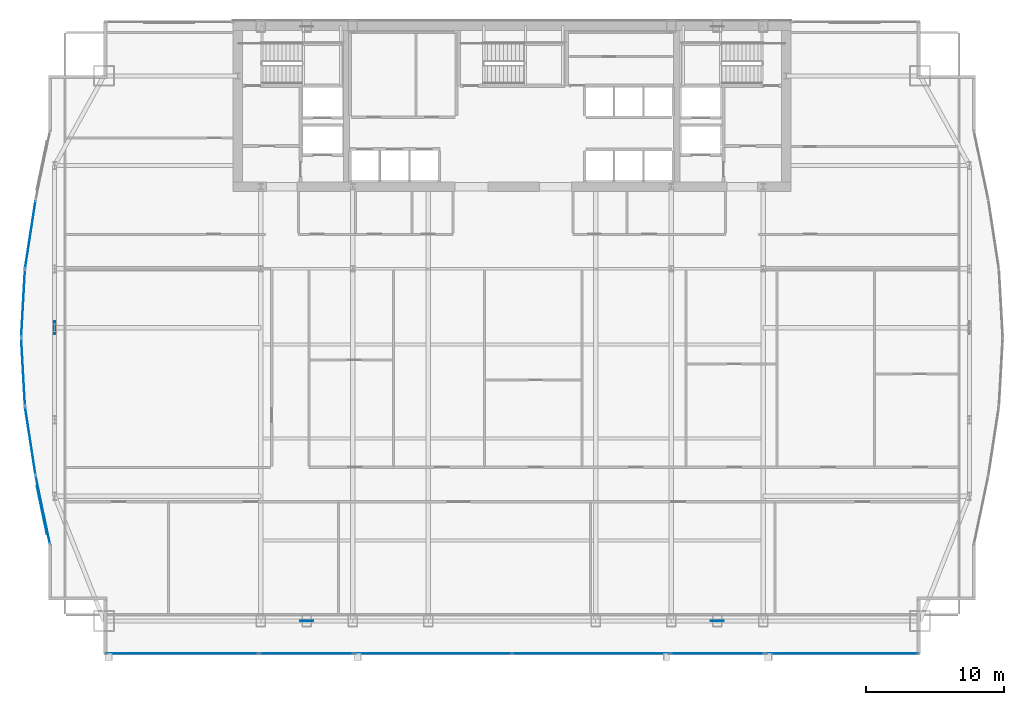
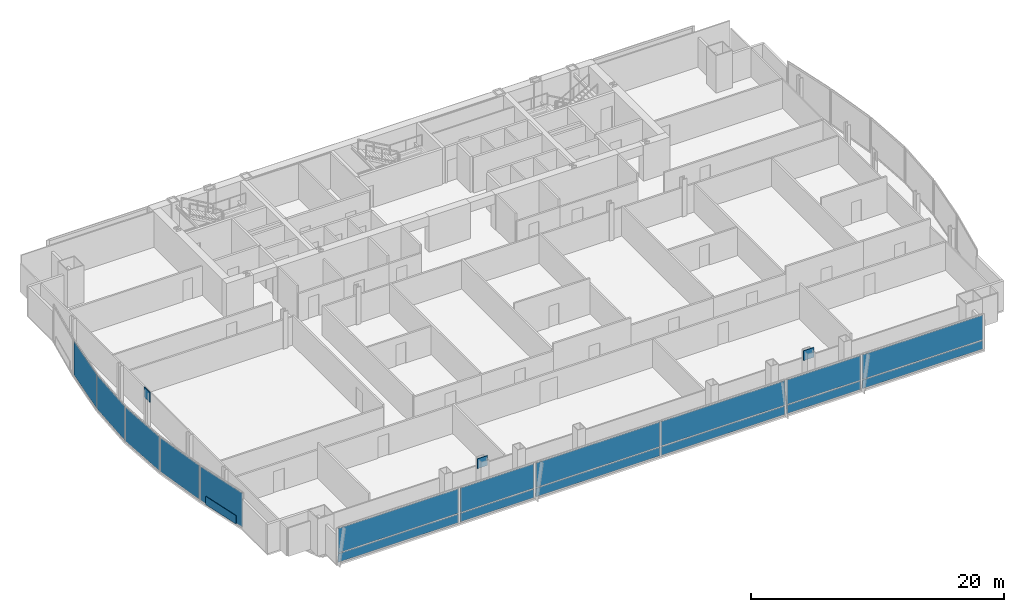
# One storey, part 25 of 33: 21 plates, 10 elements without a shape of their own.
"""IFC4 building model written with IfcOpenShell, lengths in metres."""

import ifcopenshell
import ifcopenshell.guid

model = None  # the IFC model being written
_history = None  # IfcOwnerHistory: only IFC2X3 demands one
_inside = {}  # id of a spatial element -> (the spatial element, [elements in it])
_under = {}  # id of a project, library or spatial element -> (it, [spatial elements below it])
_declared = {}  # id of a project -> (the project, [libraries it declares])
_typed = {}  # id of a type object -> (the type object, [elements of that type])
_made_of = {}  # id of a material, layer set ... -> (it, [elements and type objects made of it])


def new_model(schema):
    """Start an empty IFC model of exactly this schema.

    Asked for "IFC4X3", IfcOpenShell would pick the latest addendum, in which some entities
    have other attributes; the version numbers below select the first issue.
    IFC2X3 requires an IfcOwnerHistory on every rooted entity: one is made here for all.
    """
    global model, _history
    if schema == "IFC4X3":
        model = ifcopenshell.file(schema_version=(4, 3, 0, 0))
    else:
        model = ifcopenshell.file(schema=schema)
    _inside.clear()
    _under.clear()
    _declared.clear()
    _typed.clear()
    _made_of.clear()
    _history = None
    if model.schema == "IFC2X3":
        org = make("IfcOrganization", Name="unknown")
        user = make(
            "IfcPersonAndOrganization",
            ThePerson=make("IfcPerson", FamilyName="unknown"),
            TheOrganization=org,
        )
        app = make(
            "IfcApplication",
            ApplicationDeveloper=org,
            Version="unknown",
            ApplicationFullName="unknown",
            ApplicationIdentifier="unknown",
        )
        _history = make(
            "IfcOwnerHistory",
            OwningUser=user,
            OwningApplication=app,
            ChangeAction="ADDED",
            CreationDate=0,
        )
    return model


def make(cls, **values):
    """One entity of the class cls with the attributes given. An attribute that is None is left unset."""
    return model.create_entity(
        cls, **{name: value for name, value in values.items() if value is not None}
    )


def rooted(cls, **values):
    """An entity with a GlobalId (a new one), such as an element, a storey or a relation."""
    return make(cls, GlobalId=ifcopenshell.guid.new(), OwnerHistory=_history, **values)


def si_unit(unit_type, name, prefix=None):
    """IfcSIUnit, for example si_unit("LENGTHUNIT", "METRE", prefix="MILLI")."""
    return make("IfcSIUnit", UnitType=unit_type, Prefix=prefix, Name=name)


def assignment(units):
    """IfcUnitAssignment: the units of a project."""
    return None if units is None else make("IfcUnitAssignment", Units=units)


def point(xyz):
    """IfcCartesianPoint."""
    return None if xyz is None else make("IfcCartesianPoint", Coordinates=xyz)


def direction(xyz):
    """IfcDirection."""
    return None if xyz is None else make("IfcDirection", DirectionRatios=xyz)


def frame(location, z_axis=None, x_axis=None):
    """IfcAxis2Placement3D, a coordinate frame: its origin and axes. An axis left out is left unset."""
    return make(
        "IfcAxis2Placement3D",
        Location=point(location),
        Axis=direction(z_axis),
        RefDirection=direction(x_axis),
    )


def frame_2d(location, x_axis=None):
    """IfcAxis2Placement2D, a coordinate frame in the plane: its origin and x axis."""
    return make(
        "IfcAxis2Placement2D", Location=point(location), RefDirection=direction(x_axis)
    )


def origin():
    """The frame at (0, 0, 0) with its axes left unset."""
    return frame((0.0, 0.0, 0.0))


def origin_2d():
    """The frame at (0, 0) in the plane with its x axis left unset."""
    return frame_2d((0.0, 0.0))


def place(relative_to, where):
    """IfcLocalPlacement: puts the frame where relative to a parent placement (None: the world)."""
    return make(
        "IfcLocalPlacement", PlacementRelTo=relative_to, RelativePlacement=where
    )


def context(
    kind, dimensions, precision=None, world=None, true_north=None, identifier=None
):
    """IfcGeometricRepresentationContext, for example the 3D "Model" context."""
    return make(
        "IfcGeometricRepresentationContext",
        ContextIdentifier=identifier,
        ContextType=kind,
        CoordinateSpaceDimension=dimensions,
        Precision=precision,
        WorldCoordinateSystem=world,
        TrueNorth=true_north,
    )


def subcontext(parent, identifier, kind, view, scale=None):
    """IfcGeometricRepresentationSubContext, for example "Body" below "Model"."""
    return make(
        "IfcGeometricRepresentationSubContext",
        ContextIdentifier=identifier,
        ContextType=kind,
        ParentContext=parent,
        TargetScale=scale,
        TargetView=view,
    )


def project(units=None, contexts=None):
    """IfcProject with its units and contexts."""
    return rooted(
        "IfcProject",
        Name="project",
        RepresentationContexts=contexts,
        UnitsInContext=assignment(units),
    )


def spatial(cls, under=None, at=None, **own):
    """A site, building, storey or space (cls), placed at a placement, below another one or the project."""
    s = rooted(cls, ObjectPlacement=at, **own)
    if under is not None:
        _under.setdefault(under.id(), (under, []))[1].append(s)
    return s


def profile(cls, at=None, kind="AREA", **sizes):
    """A parametric profile (cls). Its sizes go by their IFC names, for example OverallWidth=200.0."""
    return make(cls, ProfileType=kind, Position=at, **sizes)


def rectangle(**sizes):
    """IfcRectangleProfileDef."""
    return profile("IfcRectangleProfileDef", **sizes)


def extrude(swept, where, along, depth):
    """IfcExtrudedAreaSolid: the profile swept, set in the frame where, extruded along a direction by depth."""
    return make(
        "IfcExtrudedAreaSolid",
        SweptArea=swept,
        Position=where,
        ExtrudedDirection=direction(along),
        Depth=depth,
    )


def shape(context_of_items, identifier, shape_type, items):
    """IfcShapeRepresentation: the items that make up one representation, for example the "Body"."""
    return make(
        "IfcShapeRepresentation",
        ContextOfItems=context_of_items,
        RepresentationIdentifier=identifier,
        RepresentationType=shape_type,
        Items=items,
    )


def material(Name=None, Category=None):
    """IfcMaterial."""
    return make("IfcMaterial", Name=Name, Category=Category)


def layer(
    of_material, thickness, ventilated=None, Name=None, Category=None, Priority=None
):
    """IfcMaterialLayer: one layer of a wall or slab, of a material (None: an air gap)."""
    return make(
        "IfcMaterialLayer",
        Material=of_material,
        LayerThickness=thickness,
        IsVentilated=ventilated,
        Name=Name,
        Category=Category,
        Priority=Priority,
    )


def layer_set(layers, Name=None):
    """IfcMaterialLayerSet."""
    return make("IfcMaterialLayerSet", MaterialLayers=layers, LayerSetName=Name)


def made_of(thing, what):
    """Note that an element or type object is made of a material, layer set ...; save() writes the relation."""
    if what is not None:
        _made_of.setdefault(what.id(), (what, []))[1].append(thing)
    return thing


def type_object(cls, material=None, **own):
    """A type object (cls), such as IfcWallType, which elements share."""
    return made_of(rooted(cls, **own), material)


def element(
    cls,
    number,
    at=None,
    inside=None,
    cuts=None,
    type_object=None,
    material=None,
    context=None,
    identifier="Body",
    shape_type=None,
    held_by="IfcProductDefinitionShape",
    body=None,
    shapes=None,
    **own,
):
    """One element of the class cls, such as IfcWall. Its Tag is "e" and its number.

    at: its placement. inside: the storey or other place that contains it. cuts: it is an
    opening in that element (IfcRelVoidsElement). A single representation is given by context,
    identifier, shape_type and body (its items); several are given by shapes. held_by: the class
    of the entity that holds the representations. save() writes the other relations.
    """
    e = rooted(cls, Tag="e%d" % number, ObjectPlacement=at, **own)
    if body is not None:
        shapes = [shape(context, identifier, shape_type, body)]
    if shapes is not None:
        e.Representation = make(held_by, Representations=shapes)
    if inside is not None:
        _inside.setdefault(inside.id(), (inside, []))[1].append(e)
    if cuts is not None:
        rooted(
            "IfcRelVoidsElement", RelatingBuildingElement=cuts, RelatedOpeningElement=e
        )
    if type_object is not None:
        _typed.setdefault(type_object.id(), (type_object, []))[1].append(e)
    return made_of(e, material)


def aggregate(whole, parts):
    """IfcRelAggregates: a whole, such as a stair, and the parts it consists of."""
    return rooted("IfcRelAggregates", RelatingObject=whole, RelatedObjects=parts)


def save(model, path):
    """Write the relations noted so far, then the file.

    IfcRelAggregates (storeys below a building ...), IfcRelContainedInSpatialStructure (elements
    in a storey), IfcRelDefinesByType, IfcRelAssociatesMaterial and IfcRelDeclares: one each for
    every whole, place, type object, material and project.
    """
    for whole, parts in _under.values():
        aggregate(whole, parts)
    for where, things in _inside.values():
        rooted(
            "IfcRelContainedInSpatialStructure",
            RelatedElements=things,
            RelatingStructure=where,
        )
    for kind, things in _typed.values():
        rooted("IfcRelDefinesByType", RelatedObjects=things, RelatingType=kind)
    for what, things in _made_of.values():
        rooted("IfcRelAssociatesMaterial", RelatedObjects=things, RelatingMaterial=what)
    for by, libraries in _declared.values():
        rooted("IfcRelDeclares", RelatingContext=by, RelatedDefinitions=libraries)
    model.write(path)


model = new_model("IFC4")

# Units and contexts
model_context = context("Model", 3, precision=1e-05, world=origin(), true_north=direction((0.0, 1.0)))
body_context = subcontext(model_context, "Body", "Model", "MODEL_VIEW")
ifc_project = project(units=[si_unit("LENGTHUNIT", "METRE"), si_unit("AREAUNIT", "SQUARE_METRE"), si_unit("VOLUMEUNIT", "CUBIC_METRE"), si_unit("PLANEANGLEUNIT", "RADIAN"), si_unit("MASSUNIT", "GRAM", prefix="KILO")], contexts=[model_context])

# Site, building, storey
site_placement = place(None, origin())
site = spatial("IfcSite", under=ifc_project, at=site_placement, CompositionType="ELEMENT")
building_placement = place(site_placement, origin())
building = spatial("IfcBuilding", under=site, at=building_placement, Name="Khoronbel Lancet Exchange", CompositionType="ELEMENT")
storey_placement = place(building_placement, frame((0.0, 0.0, 114.60009765625)))
storey = spatial("IfcBuildingStorey", under=building, at=storey_placement, Name="L27", CompositionType="ELEMENT", Elevation=114.60009765625)

# Curtain wall, plate
ifc_material_1 = material(Name="Low-E Solar Control Insulating Glass", Category="glass")
curtain_wall_type_1 = type_object("IfcCurtainWallType", Name="CW-4", PredefinedType="NOTDEFINED", material=ifc_material_1)
curtain_wall_1_placement = place(storey_placement, origin())
curtain_wall_1 = element("IfcCurtainWall", 1, at=curtain_wall_1_placement, inside=storey, type_object=curtain_wall_type_1, Name="Unitised curtain wall CW-L27-E04", PredefinedType="NOTDEFINED")
ifc_material_2 = material(Name="Bronze-Anodised Aluminium 6063-T6", Category="aluminium")
ifc_layer_1 = layer(ifc_material_2, 0.050048828125, Name="Bronze-Anodised Aluminium 6063-T6")
ifc_layer_set_1 = layer_set([ifc_layer_1], Name="Bronze-Anodised Aluminium 6063-T6")
plate_type_1 = type_object("IfcPlateType", Name="PLT-CSP1", PredefinedType="SHEET", material=ifc_layer_set_1)
plate_1_placement = place(storey_placement, frame((2.357177734375, 18.200439453125, 0.0498046875), z_axis=(0.0, 0.0, 1.0), x_axis=(-0.204912806344, 0.978780231613, 0.0)))
plate_1 = element("IfcPlate", 2, at=plate_1_placement, type_object=plate_type_1, Name="Insulated bronze spandrel cassette CW-L27-E04", PredefinedType="SHEET", context=body_context, shape_type="SweptSolid", body=[
    extrude(rectangle(XDim=3.580810546875, YDim=0.050048828125, at=origin_2d()), origin(), (0.0, 0.0, 1.0), 0.800048828125),
])

curtain_wall_2_placement = place(storey_placement, origin())
curtain_wall_2 = element("IfcCurtainWall", 3, at=curtain_wall_2_placement, inside=storey, type_object=curtain_wall_type_1, Name="Unitised curtain wall CW-L27-E05", PredefinedType="NOTDEFINED")
plate_2_placement = place(storey_placement, frame((1.509033203125, 23.212646484375, 0.0849609375), z_axis=(0.0, 0.0, 1.0), x_axis=(-0.151515699646, 0.988454851149, 0.0)))
plate_2 = element("IfcPlate", 4, at=plate_2_placement, type_object=plate_type_1, Name="CW4 panel 1.1", PredefinedType="CURTAIN_PANEL", context=body_context, shape_type="SweptSolid", body=[
    extrude(rectangle(XDim=4.901611328125, YDim=0.0380859375, at=origin_2d()), origin(), (0.0, 0.0, 1.0), 3.27001953125),
])
aggregate(curtain_wall_2, [plate_2])

curtain_wall_3_placement = place(storey_placement, origin())
curtain_wall_3 = element("IfcCurtainWall", 5, at=curtain_wall_3_placement, inside=storey, type_object=curtain_wall_type_1, Name="Unitised curtain wall CW-L27-E06", PredefinedType="NOTDEFINED")
plate_3_placement = place(storey_placement, frame((0.986328125, 28.20458984375, 0.0849609375), z_axis=(0.0, 0.0, 1.0), x_axis=(-0.056017381128, 0.998429793732, 0.0)))
plate_3 = element("IfcPlate", 6, at=plate_3_placement, type_object=plate_type_1, Name="CW4 panel 1.1", PredefinedType="CURTAIN_PANEL", context=body_context, shape_type="SweptSolid", body=[
    extrude(rectangle(XDim=4.848388671875, YDim=0.0380859375, at=origin_2d()), origin(), (0.0, 0.0, 1.0), 3.27001953125),
])
aggregate(curtain_wall_3, [plate_3])

curtain_wall_4_placement = place(storey_placement, origin())
curtain_wall_4 = element("IfcCurtainWall", 7, at=curtain_wall_4_placement, inside=storey, type_object=curtain_wall_type_1, Name="Unitised curtain wall CW-L27-E07", PredefinedType="NOTDEFINED")
plate_4_placement = place(storey_placement, frame((0.986328125, 33.1953125, 0.0849609375), z_axis=(0.0, 0.0, 1.0), x_axis=(0.056017381128, 0.998429793732, 0.0)))
plate_4 = element("IfcPlate", 8, at=plate_4_placement, type_object=plate_type_1, Name="CW4 panel 1.1", PredefinedType="CURTAIN_PANEL", context=body_context, shape_type="SweptSolid", body=[
    extrude(rectangle(XDim=4.848388671875, YDim=0.0380859375, at=origin_2d()), origin(), (0.0, 0.0, 1.0), 3.27001953125),
])
aggregate(curtain_wall_4, [plate_4])

curtain_wall_5_placement = place(storey_placement, origin())
curtain_wall_5 = element("IfcCurtainWall", 9, at=curtain_wall_5_placement, inside=storey, type_object=curtain_wall_type_1, Name="Unitised curtain wall CW-L27-E08", PredefinedType="NOTDEFINED")
plate_5_placement = place(storey_placement, frame((1.509033203125, 38.187255859375, 0.0849609375), z_axis=(0.0, 0.0, 1.0), x_axis=(0.151515699646, 0.988454851149, 0.0)))
plate_5 = element("IfcPlate", 10, at=plate_5_placement, type_object=plate_type_1, Name="CW4 panel 1.1", PredefinedType="CURTAIN_PANEL", context=body_context, shape_type="SweptSolid", body=[
    extrude(rectangle(XDim=4.901611328125, YDim=0.0380859375, at=origin_2d()), origin(), (0.0, 0.0, 1.0), 3.27001953125),
])
aggregate(curtain_wall_5, [plate_5])

# Curtain wall, plates
curtain_wall_type_2 = type_object("IfcCurtainWallType", Name="CW-2", PredefinedType="NOTDEFINED", material=ifc_material_1)
curtain_wall_6_placement = place(storey_placement, origin())
curtain_wall_6 = element("IfcCurtainWall", 11, at=curtain_wall_6_placement, inside=storey, type_object=curtain_wall_type_2, Name="Unitised curtain wall CW-L27-SWB", PredefinedType="NOTDEFINED")
plate_6_placement = place(storey_placement, frame((21.550048828125, 7.7900390625, 0.0849609375), z_axis=(0.0, 0.0, 1.0), x_axis=(1.0, 0.0, 0.0)))
plate_6 = element("IfcPlate", 12, at=plate_6_placement, type_object=plate_type_1, Name="CW2 panel 1.1", PredefinedType="CURTAIN_PANEL", context=body_context, shape_type="SweptSolid", body=[
    extrude(rectangle(XDim=6.72998046875, YDim=0.0380859375, at=origin_2d()), origin(), (0.0, 0.0, 1.0), 0.822509765625),
])
plate_7_placement = place(storey_placement, frame((21.550048828125, 7.7900390625, 0.9921875), z_axis=(0.0, 0.0, 1.0), x_axis=(1.0, 0.0, 0.0)))
plate_7 = element("IfcPlate", 13, at=plate_7_placement, type_object=plate_type_1, Name="CW2 panel 1.2", PredefinedType="CURTAIN_PANEL", context=body_context, shape_type="SweptSolid", body=[
    extrude(rectangle(XDim=6.72998046875, YDim=0.0380859375, at=origin_2d()), origin(), (0.0, 0.0, 1.0), 2.362548828125),
])
aggregate(curtain_wall_6, [plate_6, plate_7])

curtain_wall_7_placement = place(storey_placement, origin())
curtain_wall_7 = element("IfcCurtainWall", 14, at=curtain_wall_7_placement, inside=storey, type_object=curtain_wall_type_2, Name="Unitised curtain wall CW-L27-SEB", PredefinedType="NOTDEFINED")
plate_8_placement = place(storey_placement, frame((51.35009765625, 7.7900390625, 0.0849609375), z_axis=(0.0, 0.0, 1.0), x_axis=(1.0, 0.0, 0.0)))
plate_8 = element("IfcPlate", 15, at=plate_8_placement, type_object=plate_type_1, Name="CW2 panel 1.1", PredefinedType="CURTAIN_PANEL", context=body_context, shape_type="SweptSolid", body=[
    extrude(rectangle(XDim=6.72998046875, YDim=0.0380859375, at=origin_2d()), origin(), (0.0, 0.0, 1.0), 0.822509765625),
])
plate_9_placement = place(storey_placement, frame((51.35009765625, 7.7900390625, 0.9921875), z_axis=(0.0, 0.0, 1.0), x_axis=(1.0, 0.0, 0.0)))
plate_9 = element("IfcPlate", 16, at=plate_9_placement, type_object=plate_type_1, Name="CW2 panel 1.2", PredefinedType="CURTAIN_PANEL", context=body_context, shape_type="SweptSolid", body=[
    extrude(rectangle(XDim=6.72998046875, YDim=0.0380859375, at=origin_2d()), origin(), (0.0, 0.0, 1.0), 2.362548828125),
])
aggregate(curtain_wall_7, [plate_8, plate_9])

curtain_wall_8_placement = place(storey_placement, origin())
curtain_wall_8 = element("IfcCurtainWall", 17, at=curtain_wall_8_placement, inside=storey, type_object=curtain_wall_type_2, Name="Unitised curtain wall CW-L27-SWV", PredefinedType="NOTDEFINED")
ifc_layer_2 = layer(ifc_material_1, 0.035888671875, Name="Low-E Solar Control Insulating Glass")
ifc_layer_set_2 = layer_set([ifc_layer_2], Name="Low-E Solar Control Insulating Glass")
plate_type_2 = type_object("IfcPlateType", Name="PLT-CWP1", PredefinedType="CURTAIN_PANEL", material=ifc_layer_set_2)
plate_10_placement = place(storey_placement, frame((12.52001953125, 7.7900390625, 0.0849609375), z_axis=(0.0, 0.0, 1.0), x_axis=(1.0, 0.0, 0.0)))
plate_10 = element("IfcPlate", 18, at=plate_10_placement, type_object=plate_type_2, Name="CW2 panel 1.1", PredefinedType="CURTAIN_PANEL", context=body_context, shape_type="SweptSolid", body=[
    extrude(rectangle(XDim=10.989990234375, YDim=0.0380859375, at=origin_2d()), origin(), (0.0, 0.0, 1.0), 0.822509765625),
])
plate_11_placement = place(storey_placement, frame((12.52001953125, 7.7900390625, 0.9921875), z_axis=(0.0, 0.0, 1.0), x_axis=(1.0, 0.0, 0.0)))
plate_11 = element("IfcPlate", 19, at=plate_11_placement, type_object=plate_type_2, Name="CW2 panel 1.2", PredefinedType="CURTAIN_PANEL", context=body_context, shape_type="SweptSolid", body=[
    extrude(rectangle(XDim=10.989990234375, YDim=0.0380859375, at=origin_2d()), origin(), (0.0, 0.0, 1.0), 2.362548828125),
])
aggregate(curtain_wall_8, [plate_10, plate_11])

curtain_wall_9_placement = place(storey_placement, origin())
curtain_wall_9 = element("IfcCurtainWall", 20, at=curtain_wall_9_placement, inside=storey, type_object=curtain_wall_type_2, Name="Unitised curtain wall CW-L27-SCV", PredefinedType="NOTDEFINED")
plate_12_placement = place(storey_placement, frame((30.746337890625, 7.7900390625, 0.0849609375), z_axis=(0.0, 0.0, 1.0), x_axis=(1.0, 0.0, 0.0)))
plate_12 = element("IfcPlate", 21, at=plate_12_placement, type_object=plate_type_2, Name="CW2 panel 1.1", PredefinedType="CURTAIN_PANEL", context=body_context, shape_type="SweptSolid", body=[
    extrude(rectangle(XDim=11.322509765625, YDim=0.0380859375, at=origin_2d()), origin(), (0.0, 0.0, 1.0), 0.822509765625),
])
plate_13_placement = place(storey_placement, frame((30.746337890625, 7.7900390625, 0.9921875), z_axis=(0.0, 0.0, 1.0), x_axis=(1.0, 0.0, 0.0)))
plate_13 = element("IfcPlate", 22, at=plate_13_placement, type_object=plate_type_2, Name="CW2 panel 1.2", PredefinedType="CURTAIN_PANEL", context=body_context, shape_type="SweptSolid", body=[
    extrude(rectangle(XDim=11.322509765625, YDim=0.0380859375, at=origin_2d()), origin(), (0.0, 0.0, 1.0), 2.362548828125),
])
plate_14_placement = place(storey_placement, frame((42.15380859375, 7.7900390625, 0.0849609375), z_axis=(0.0, 0.0, 1.0), x_axis=(1.0, 0.0, 0.0)))
plate_14 = element("IfcPlate", 23, at=plate_14_placement, type_object=plate_type_2, Name="CW2 panel 2.1", PredefinedType="CURTAIN_PANEL", context=body_context, shape_type="SweptSolid", body=[
    extrude(rectangle(XDim=11.322509765625, YDim=0.0380859375, at=origin_2d()), origin(), (0.0, 0.0, 1.0), 0.822509765625),
])
plate_15_placement = place(storey_placement, frame((42.15380859375, 7.7900390625, 0.9921875), z_axis=(0.0, 0.0, 1.0), x_axis=(1.0, 0.0, 0.0)))
plate_15 = element("IfcPlate", 24, at=plate_15_placement, type_object=plate_type_2, Name="CW2 panel 2.2", PredefinedType="CURTAIN_PANEL", context=body_context, shape_type="SweptSolid", body=[
    extrude(rectangle(XDim=11.322509765625, YDim=0.0380859375, at=origin_2d()), origin(), (0.0, 0.0, 1.0), 2.362548828125),
])
aggregate(curtain_wall_9, [plate_12, plate_13, plate_14, plate_15])

curtain_wall_10_placement = place(storey_placement, origin())
curtain_wall_10 = element("IfcCurtainWall", 25, at=curtain_wall_10_placement, inside=storey, type_object=curtain_wall_type_2, Name="Unitised curtain wall CW-L27-SEV", PredefinedType="NOTDEFINED")
plate_16_placement = place(storey_placement, frame((60.3798828125, 7.7900390625, 0.0849609375), z_axis=(0.0, 0.0, 1.0), x_axis=(1.0, 0.0, 0.0)))
plate_16 = element("IfcPlate", 26, at=plate_16_placement, type_object=plate_type_2, Name="CW2 panel 1.1", PredefinedType="CURTAIN_PANEL", context=body_context, shape_type="SweptSolid", body=[
    extrude(rectangle(XDim=10.989990234375, YDim=0.0380859375, at=origin_2d()), origin(), (0.0, 0.0, 1.0), 0.822509765625),
])
plate_17_placement = place(storey_placement, frame((60.3798828125, 7.7900390625, 0.9921875), z_axis=(0.0, 0.0, 1.0), x_axis=(1.0, 0.0, 0.0)))
plate_17 = element("IfcPlate", 27, at=plate_17_placement, type_object=plate_type_2, Name="CW2 panel 1.2", PredefinedType="CURTAIN_PANEL", context=body_context, shape_type="SweptSolid", body=[
    extrude(rectangle(XDim=10.989990234375, YDim=0.0380859375, at=origin_2d()), origin(), (0.0, 0.0, 1.0), 2.362548828125),
])
aggregate(curtain_wall_10, [plate_16, plate_17])

# Plate
ifc_material_3 = material(Name="Ceramic-Fritted Laminated Insulating Glass", Category="glass")
ifc_layer_3 = layer(ifc_material_3, 0.0419921875, Name="Ceramic-Fritted Laminated Insulating Glass")
ifc_layer_set_3 = layer_set([ifc_layer_3], Name="Ceramic-Fritted Laminated Insulating Glass")
plate_type_3 = type_object("IfcPlateType", Name="PLT-CWP2", PredefinedType="CURTAIN_PANEL", material=ifc_layer_set_3)
plate_18_placement = place(storey_placement, frame((2.416015625, 18.212646484375, 0.0849609375), z_axis=(0.0, 0.0, 1.0), x_axis=(-0.204912806344, 0.978780231613, 0.0)))
plate_18 = element("IfcPlate", 28, at=plate_18_placement, type_object=plate_type_3, Name="CW4 panel 1.1", PredefinedType="CURTAIN_PANEL", context=body_context, shape_type="SweptSolid", body=[
    extrude(rectangle(XDim=4.96533203125, YDim=0.0380859375, at=origin_2d()), origin(), (0.0, 0.0, 1.0), 3.27001953125),
])

aggregate(curtain_wall_1, [plate_18, plate_1])

# Plates
ifc_material_4 = material(Name="Steel S460", Category="steel")
ifc_layer_4 = layer(ifc_material_4, 0.06005859375, Name="Steel S460")
ifc_layer_set_4 = layer_set([ifc_layer_4], Name="Steel S460")
plate_type_4 = type_object("IfcPlateType", Name="PLT-ND1", PredefinedType="USERDEFINED", material=ifc_layer_set_4)
for number, where, z_axis, x_axis, name in (
    (29, (21.5625, 10.14990234375, 2.77490234375), (0.0, 0.0, 1.0), (1.0, 0.0, 0.0), "ND1 perimeter brace node gusset T08-S-W"),
    (30, (51.33740234375, 10.14990234375, 2.77490234375), (0.0, 0.0, 1.0), (1.0, 0.0, 0.0), "ND1 perimeter brace node gusset T08-S-E"),
    (31, (3.27001953125, 31.425048828125, 2.77490234375), (0.0, 0.0, 1.0), (0.0, 1.0, 0.0), "ND1 perimeter brace node gusset T08-W-P"),
):
    element("IfcPlate", number, at=place(storey_placement, frame(where, z_axis=z_axis, x_axis=x_axis)), inside=storey, type_object=plate_type_4, Name=name, ObjectType="GUSSET_PLATE", PredefinedType="USERDEFINED", context=body_context, shape_type="SweptSolid", body=[
        extrude(rectangle(XDim=0.949951171875, YDim=0.06005859375, at=origin_2d()), origin(), (0.0, 0.0, 1.0), 0.949951171875),
    ])

save(model, "model.ifc")
